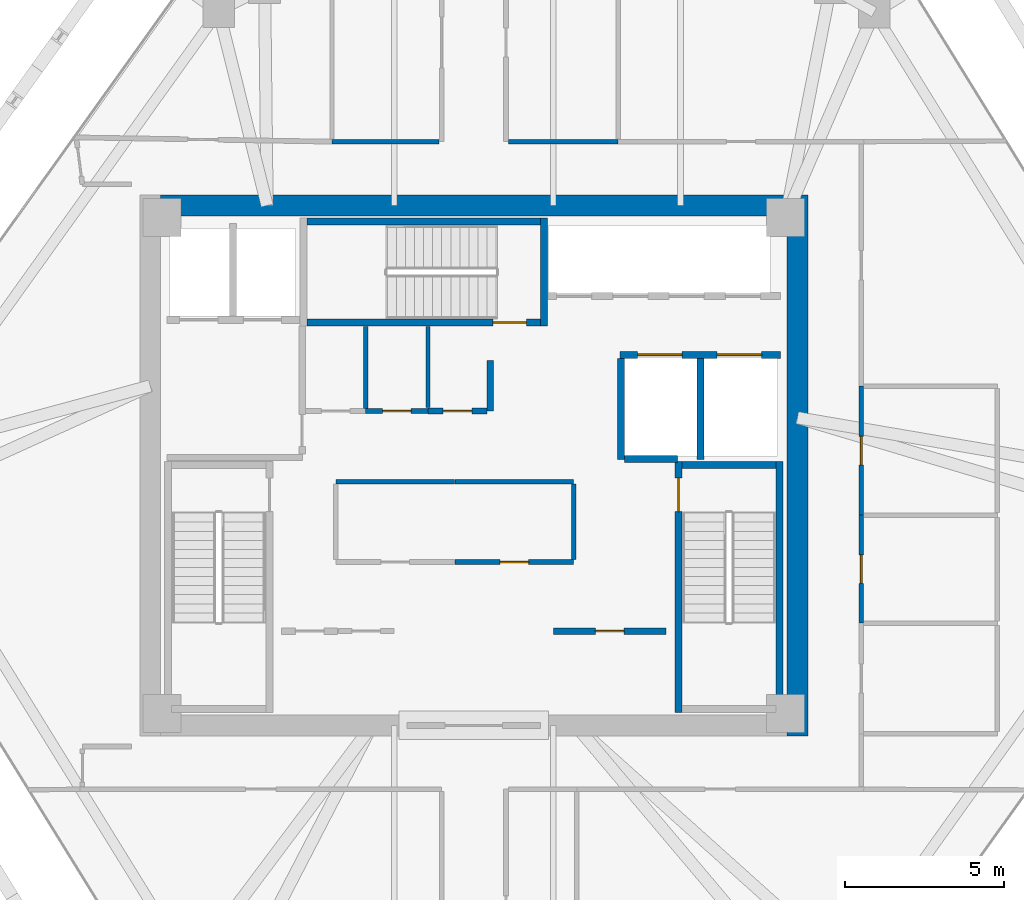
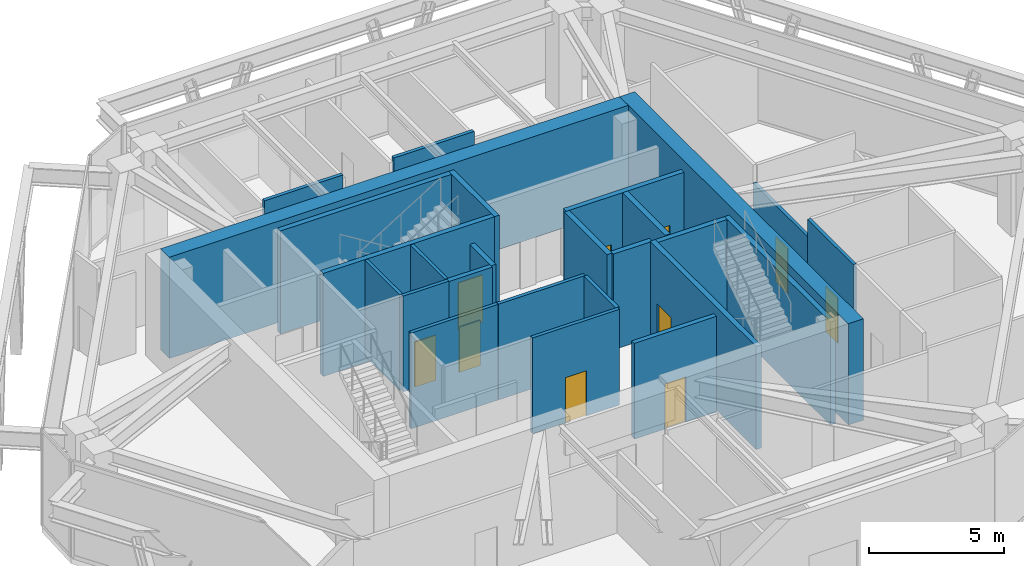
# One storey, part 9 of 12: 26 walls, 10 doors, 10 openings.
"""IFC4 building model written with IfcOpenShell, lengths in metres."""

from ifc_helpers import new_model, si_unit, direction, frame, frame_2d, origin, place, context, subcontext, project, spatial, rectangle, extrude, source, transform, mapped, material, layer, layer_set, type_object, type_shapes, element, fill, save


model = new_model("IFC4")

# Units and contexts
model_context = context("Model", 3, precision=1e-05, world=origin(), true_north=direction((0.0, 1.0)))
body_context = subcontext(model_context, "Body", "Model", "MODEL_VIEW")
ifc_project = project(units=[si_unit("LENGTHUNIT", "METRE"), si_unit("AREAUNIT", "SQUARE_METRE"), si_unit("VOLUMEUNIT", "CUBIC_METRE"), si_unit("PLANEANGLEUNIT", "RADIAN"), si_unit("MASSUNIT", "GRAM", prefix="KILO")], contexts=[model_context])

# Site, building, storey
site_placement = place(None, origin())
site = spatial("IfcSite", under=ifc_project, at=site_placement, CompositionType="ELEMENT")
building_placement = place(site_placement, origin())
building = spatial("IfcBuilding", under=site, at=building_placement, Name="Durnholm Broadcast Tower", CompositionType="ELEMENT")
storey_placement = place(building_placement, frame((0.0, 0.0, 162.60009765625)))
storey = spatial("IfcBuildingStorey", under=building, at=storey_placement, Name="L44", CompositionType="ELEMENT", Elevation=162.60009765625)

# Walls
ifc_material_1 = material(Name="Concrete C70/85", Category="concrete")
ifc_layer_1 = layer(ifc_material_1, 0.64990234375)
ifc_layer_set_1 = layer_set([ifc_layer_1], Name="Concrete C70/85")
wall_type_1 = type_object("IfcWallType", Name="WALL-CW-650", PredefinedType="SHEAR", material=ifc_layer_set_1)
wall_1_placement = place(storey_placement, frame((10.175048828125, -8.5, 0.0), z_axis=(0.0, 0.0, 1.0), x_axis=(0.0, 1.0, 0.0)))
element("IfcWall", 1, at=wall_1_placement, inside=storey, type_object=wall_type_1, Name="L44 central core shear wall CW-EAST", PredefinedType="SHEAR", context=body_context, shape_type="SweptSolid", body=[
    extrude(rectangle(XDim=17.0, YDim=0.64990234375, at=frame_2d((8.5, 0.0))), origin(), (0.0, 0.0, 1.0), 4.599853515625),
])
wall_2_placement = place(storey_placement, frame((-9.85009765625, 8.175048828125, 0.0), z_axis=(0.0, 0.0, 1.0), x_axis=(1.0, 0.0, 0.0)))
element("IfcWall", 2, at=wall_2_placement, inside=storey, type_object=wall_type_1, Name="L44 central core shear wall CW-N", PredefinedType="SHEAR", context=body_context, shape_type="SweptSolid", body=[
    extrude(rectangle(XDim=19.7001953125, YDim=0.64990234375, at=frame_2d((9.85009765625, 0.0))), origin(), (0.0, 0.0, 1.0), 4.599853515625),
])

# Wall, opening, door
ifc_material_2 = material(Name="Fire-Rated Gypsum Shaftwall", Category="concrete")
ifc_layer_2 = layer(ifc_material_2, 0.199951171875)
ifc_layer_set_2 = layer_set([ifc_layer_2], Name="Fire-Rated Gypsum Shaftwall")
wall_type_2 = type_object("IfcWallType", Name="WALL-LOB-200", PredefinedType="SOLIDWALL", material=ifc_layer_set_2)
wall_3_placement = place(storey_placement, frame((2.510009765625, -5.2099609375, 0.0), z_axis=(0.0, 0.0, 1.0), x_axis=(1.0, 0.0, 0.0)))
wall_3 = element("IfcWall", 3, at=wall_3_placement, inside=storey, type_object=wall_type_2, Name="L44 Telemetry Control Closet corridor partition", PredefinedType="SOLIDWALL", context=body_context, shape_type="SweptSolid", body=[
    extrude(rectangle(XDim=3.530029296875, YDim=0.199951171875, at=frame_2d((1.76513671875, 0.0))), origin(), (0.0, 0.0, 1.0), 4.344970703125),
])
opening_1_placement = place(wall_3_placement, frame((1.31494140625, 0.0, 0.0)))
opening_1 = element("IfcOpeningElement", 4, at=opening_1_placement, cuts=wall_3, Name="Opening DC-60R", PredefinedType="OPENING", context=body_context, shape_type="SweptSolid", body=[
    extrude(rectangle(XDim=0.89990234375, YDim=2.050048828125, at=frame_2d((0.449951171875, 1.02490234375))), frame((0.0, 0.10986328125, 0.0), z_axis=(0.0, -1.0, 0.0), x_axis=(1.0, 0.0, 0.0)), (0.0, 0.0, 1.0), 0.219970703125),
])
ifc_material_3 = material(Name="Fire-Rated Core Service Door", Category="steel")
ifc_layer_3 = layer(ifc_material_3, 0.050048828125)
ifc_layer_set_3 = layer_set([ifc_layer_3], Name="Fire-Rated Core Service Door")
door_type_1 = type_object("IfcDoorType", Name="DOOR-CORE-FD60-R", OperationType="NOTDEFINED", PredefinedType="DOOR", material=ifc_layer_set_3)
shared_shape_1 = source(origin(), body_context, "Body", "SweptSolid", [
    extrude(rectangle(XDim=0.89990234375, YDim=2.050048828125, at=frame_2d((0.449951171875, 1.02490234375))), frame((0.0, 0.02490234375, 0.0), z_axis=(0.0, -1.0, 0.0), x_axis=(1.0, 0.0, 0.0)), (0.0, 0.0, 1.0), 0.050048828125),
])
type_shapes(door_type_1, [shared_shape_1])
door_1_placement = place(opening_1_placement, origin())
door_1 = element("IfcDoor", 5, at=door_1_placement, inside=storey, type_object=door_type_1, Name="L44 Telemetry Control Closet entrance door", OperationType="SINGLE_SWING_RIGHT", OverallHeight=2.050048828125, OverallWidth=0.89990234375, PredefinedType="DOOR", context=body_context, shape_type="MappedRepresentation", body=[
    mapped(shared_shape_1, transform((0.0, 0.0, 0.0), x_axis=(1.0, 0.0, 0.0), y_axis=(0.0, 1.0, 0.0), z_axis=(0.0, 0.0, 1.0), scale=1.0)),
])
fill(opening_1, door_1)

# Wall
wall_4_placement = place(storey_placement, frame((0.52001953125, 3.300048828125, 0.0), z_axis=(0.0, 0.0, 1.0), x_axis=(0.0, -1.0, 0.0)))
element("IfcWall", 6, at=wall_4_placement, inside=storey, type_object=wall_type_2, Name="L44 Core Telecom Patch Room corridor partition", PredefinedType="SOLIDWALL", context=body_context, shape_type="SweptSolid", body=[
    extrude(rectangle(XDim=1.590087890625, YDim=0.199951171875, at=frame_2d((0.794921875, 0.0))), origin(), (0.0, 0.0, 1.0), 4.344970703125),
])

# Wall, opening, door
wall_5_placement = place(storey_placement, frame((0.416015625, 1.7099609375, 0.0), z_axis=(0.0, 0.0, 1.0), x_axis=(-1.0, 0.0, 0.0)))
wall_5 = element("IfcWall", 7, at=wall_5_placement, inside=storey, type_object=wall_type_2, Name="L44 Core Telecom Patch Room corridor partition", PredefinedType="SOLIDWALL", context=body_context, shape_type="SweptSolid", body=[
    extrude(rectangle(XDim=1.85595703125, YDim=0.199951171875, at=frame_2d((0.927978515625, 0.0))), origin(), (0.0, 0.0, 1.0), 4.344970703125),
])
opening_2_placement = place(wall_5_placement, frame((0.47802734375, 0.0, 0.0)))
opening_2 = element("IfcOpeningElement", 8, at=opening_2_placement, cuts=wall_5, Name="Opening DC-60L", PredefinedType="OPENING", context=body_context, shape_type="SweptSolid", body=[
    extrude(rectangle(XDim=0.89990234375, YDim=2.050048828125, at=frame_2d((0.449951171875, 1.02490234375))), frame((0.0, 0.10986328125, 0.0), z_axis=(0.0, -1.0, 0.0), x_axis=(1.0, 0.0, 0.0)), (0.0, 0.0, 1.0), 0.219970703125),
])
ifc_layer_4 = layer(ifc_material_3, 0.050048828125)
ifc_layer_set_4 = layer_set([ifc_layer_4], Name="Fire-Rated Core Service Door")
door_type_2 = type_object("IfcDoorType", Name="DOOR-CORE-FD60-L", OperationType="NOTDEFINED", PredefinedType="DOOR", material=ifc_layer_set_4)
shared_shape_2 = source(origin(), body_context, "Body", "SweptSolid", [
    extrude(rectangle(XDim=0.89990234375, YDim=2.050048828125, at=frame_2d((0.449951171875, 1.02490234375))), frame((0.0, 0.02490234375, 0.0), z_axis=(0.0, -1.0, 0.0), x_axis=(1.0, 0.0, 0.0)), (0.0, 0.0, 1.0), 0.050048828125),
])
type_shapes(door_type_2, [shared_shape_2])
door_2_placement = place(opening_2_placement, origin())
door_2 = element("IfcDoor", 9, at=door_2_placement, inside=storey, type_object=door_type_2, Name="L44 Core Telecom Patch Room entrance door", OperationType="SINGLE_SWING_LEFT", OverallHeight=2.050048828125, OverallWidth=0.89990234375, PredefinedType="DOOR", context=body_context, shape_type="MappedRepresentation", body=[
    mapped(shared_shape_2, transform((0.0, 0.0, 0.0), x_axis=(1.0, 0.0, 0.0), y_axis=(0.0, 1.0, 0.0), z_axis=(0.0, 0.0, 1.0), scale=1.0)),
])
fill(opening_2, door_2)

# Walls
ifc_material_4 = material(Name="Gypsum Metal Stud Partition", Category="concrete")
ifc_layer_5 = layer(ifc_material_4, 0.135009765625)
ifc_layer_set_5 = layer_set([ifc_layer_5], Name="Gypsum Metal Stud Partition")
wall_type_3 = type_object("IfcWallType", Name="WALL-PART-135", PredefinedType="PARTITIONING", material=ifc_layer_set_5)
wall_6_placement = place(storey_placement, frame((-3.39990234375, 4.375, 0.0), z_axis=(0.0, 0.0, 1.0), x_axis=(0.0, -1.0, 0.0)))
element("IfcWall", 10, at=wall_6_placement, inside=storey, type_object=wall_type_3, Name="L44 room dividing partition 6.7", PredefinedType="PARTITIONING", context=body_context, shape_type="SweptSolid", body=[
    extrude(rectangle(XDim=2.5859375, YDim=0.135009765625, at=frame_2d((1.29296875, 0.0))), origin(), (0.0, 0.0, 1.0), 4.344970703125),
])
wall_7_placement = place(storey_placement, frame((-1.43994140625, 4.375, 0.0), z_axis=(0.0, 0.0, 1.0), x_axis=(0.0, -1.0, 0.0)))
element("IfcWall", 11, at=wall_7_placement, inside=storey, type_object=wall_type_3, Name="L44 room dividing partition 7.8", PredefinedType="PARTITIONING", context=body_context, shape_type="SweptSolid", body=[
    extrude(rectangle(XDim=2.56103515625, YDim=0.135009765625, at=frame_2d((1.280517578125, 0.0))), origin(), (0.0, 0.0, 1.0), 4.344970703125),
])
ifc_material_5 = material(Name="Acoustic Gypsum Stud Partition", Category="concrete")
ifc_layer_6 = layer(ifc_material_5, 0.14990234375)
ifc_layer_set_6 = layer_set([ifc_layer_6], Name="Acoustic Gypsum Stud Partition")
wall_type_4 = type_object("IfcWallType", Name="WALL-PART-150", PredefinedType="PARTITIONING", material=ifc_layer_set_6)
wall_8_placement = place(storey_placement, frame((-4.340087890625, -0.510009765625, 0.0), z_axis=(0.0, 0.0, 1.0), x_axis=(1.0, 0.0, 0.0)))
element("IfcWall", 12, at=wall_8_placement, inside=storey, type_object=wall_type_4, Name="L44 Digital Tape Archive Store corridor partition", PredefinedType="PARTITIONING", context=body_context, shape_type="SweptSolid", body=[
    extrude(rectangle(XDim=3.72998046875, YDim=0.14990234375, at=frame_2d((1.864990234375, 0.0))), origin(), (0.0, 0.0, 1.0), 4.344970703125),
])

# Wall, opening, door
wall_9_placement = place(storey_placement, frame((3.139892578125, -3.0400390625, 0.0), z_axis=(0.0, 0.0, 1.0), x_axis=(-1.0, 0.0, 0.0)))
wall_9 = element("IfcWall", 13, at=wall_9_placement, inside=storey, type_object=wall_type_4, Name="L44 High-Rise Refreshment Pantry corridor partition", PredefinedType="PARTITIONING", context=body_context, shape_type="SweptSolid", body=[
    extrude(rectangle(XDim=3.72998046875, YDim=0.14990234375, at=frame_2d((1.864990234375, 0.0))), origin(), (0.0, 0.0, 1.0), 4.344970703125),
])
opening_3_placement = place(wall_9_placement, frame((1.4150390625, 0.0, 0.0)))
opening_3 = element("IfcOpeningElement", 14, at=opening_3_placement, cuts=wall_9, Name="Opening DC-60R", PredefinedType="OPENING", context=body_context, shape_type="SweptSolid", body=[
    extrude(rectangle(XDim=0.89990234375, YDim=2.050048828125, at=frame_2d((0.449951171875, 1.02490234375))), frame((0.0, 0.0849609375, 0.0), z_axis=(0.0, -1.0, 0.0), x_axis=(1.0, 0.0, 0.0)), (0.0, 0.0, 1.0), 0.169921875),
])
door_3_placement = place(opening_3_placement, origin())
door_3 = element("IfcDoor", 15, at=door_3_placement, inside=storey, type_object=door_type_1, Name="L44 High-Rise Refreshment Pantry entrance door", OperationType="SINGLE_SWING_RIGHT", OverallHeight=2.050048828125, OverallWidth=0.89990234375, PredefinedType="DOOR", context=body_context, shape_type="MappedRepresentation", body=[
    mapped(shared_shape_1, transform((0.0, 0.0, 0.0), x_axis=(1.0, 0.0, 0.0), y_axis=(0.0, 1.0, 0.0), z_axis=(0.0, 0.0, 1.0), scale=1.0)),
])
fill(opening_3, door_3)

# Walls
wall_10_placement = place(storey_placement, frame((-0.590087890625, -0.510009765625, 0.0), z_axis=(0.0, 0.0, 1.0), x_axis=(1.0, 0.0, 0.0)))
element("IfcWall", 16, at=wall_10_placement, inside=storey, type_object=wall_type_4, Name="L44 High-Rise Refreshment Pantry corridor partition", PredefinedType="PARTITIONING", context=body_context, shape_type="SweptSolid", body=[
    extrude(rectangle(XDim=3.72998046875, YDim=0.14990234375, at=frame_2d((1.864990234375, 0.0))), origin(), (0.0, 0.0, 1.0), 4.344970703125),
])
wall_11_placement = place(storey_placement, frame((3.139892578125, -0.589111328125, 0.0), z_axis=(0.0, 0.0, 1.0), x_axis=(0.0, -1.0, 0.0)))
element("IfcWall", 17, at=wall_11_placement, inside=storey, type_object=wall_type_4, Name="L44 High-Rise Refreshment Pantry corridor partition", PredefinedType="PARTITIONING", context=body_context, shape_type="SweptSolid", body=[
    extrude(rectangle(XDim=2.371826171875, YDim=0.14990234375, at=frame_2d((1.18603515625, 0.0))), origin(), (0.0, 0.0, 1.0), 4.344970703125),
])

# Wall, opening, door
wall_12_placement = place(storey_placement, frame((-1.43994140625, 1.7099609375, 0.0), z_axis=(0.0, 0.0, 1.0), x_axis=(-1.0, 0.0, 0.0)))
wall_12 = element("IfcWall", 18, at=wall_12_placement, inside=storey, type_object=wall_type_4, Name="L44 Core Janitor Supply Closet corridor partition", PredefinedType="PARTITIONING", context=body_context, shape_type="SweptSolid", body=[
    extrude(rectangle(XDim=1.9599609375, YDim=0.14990234375, at=frame_2d((0.97998046875, 0.0))), origin(), (0.0, 0.0, 1.0), 4.344970703125),
])
opening_4_placement = place(wall_12_placement, frame((0.530029296875, 0.0, 0.0)))
opening_4 = element("IfcOpeningElement", 19, at=opening_4_placement, cuts=wall_12, Name="Opening DC-60R", PredefinedType="OPENING", context=body_context, shape_type="SweptSolid", body=[
    extrude(rectangle(XDim=0.89990234375, YDim=2.050048828125, at=frame_2d((0.449951171875, 1.02490234375))), frame((0.0, 0.0849609375, 0.0), z_axis=(0.0, -1.0, 0.0), x_axis=(1.0, 0.0, 0.0)), (0.0, 0.0, 1.0), 0.169921875),
])
door_4_placement = place(opening_4_placement, origin())
door_4 = element("IfcDoor", 20, at=door_4_placement, inside=storey, type_object=door_type_1, Name="L44 Core Janitor Supply Closet entrance door", OperationType="SINGLE_SWING_RIGHT", OverallHeight=2.050048828125, OverallWidth=0.89990234375, PredefinedType="DOOR", context=body_context, shape_type="MappedRepresentation", body=[
    mapped(shared_shape_1, transform((0.0, 0.0, 0.0), x_axis=(1.0, 0.0, 0.0), y_axis=(0.0, 1.0, 0.0), z_axis=(0.0, 0.0, 1.0), scale=1.0)),
])
fill(opening_4, door_4)

# Walls
wall_13_placement = place(storey_placement, frame((-1.089111328125, 10.179931640625, 0.0), z_axis=(0.0, 0.0, 1.0), x_axis=(-1.0, 0.0, 0.0)))
element("IfcWall", 21, at=wall_13_placement, inside=storey, type_object=wall_type_4, Name="L44 Fitness Wellness Hall corridor partition", PredefinedType="PARTITIONING", context=body_context, shape_type="SweptSolid", body=[
    extrude(rectangle(XDim=3.370849609375, YDim=0.14990234375, at=frame_2d((1.685546875, 0.0))), origin(), (0.0, 0.0, 1.0), 3.908203125),
])
wall_14_placement = place(storey_placement, frame((4.5400390625, 10.179931640625, 0.0), z_axis=(0.0, 0.0, 1.0), x_axis=(-1.0, 0.0, 0.0)))
element("IfcWall", 22, at=wall_14_placement, inside=storey, type_object=wall_type_4, Name="L44 Pool Locker Store corridor partition", PredefinedType="PARTITIONING", context=body_context, shape_type="SweptSolid", body=[
    extrude(rectangle(XDim=3.450927734375, YDim=0.14990234375, at=frame_2d((1.7255859375, 0.0))), origin(), (0.0, 0.0, 1.0), 3.908203125),
])

# Wall, openings, doors
ifc_material_6 = material(Name="Concrete Blockwork C30/37", Category="masonry")
ifc_layer_7 = layer(ifc_material_6, 0.219970703125)
ifc_layer_set_7 = layer_set([ifc_layer_7], Name="Concrete Blockwork C30/37")
wall_type_5 = type_object("IfcWallType", Name="WALL-SHAFT-220", PredefinedType="SOLIDWALL", material=ifc_layer_set_7)
wall_15_placement = place(storey_placement, frame((4.60009765625, 3.47998046875, 0.0), z_axis=(0.0, 0.0, 1.0), x_axis=(1.0, 0.0, 0.0)))
wall_15 = element("IfcWall", 23, at=wall_15_placement, inside=storey, type_object=wall_type_5, Name="L44 freight service lifts north front wall", PredefinedType="SOLIDWALL", context=body_context, shape_type="SweptSolid", body=[
    extrude(rectangle(XDim=5.0498046875, YDim=0.219970703125, at=frame_2d((2.52490234375, 0.0))), origin(), (0.0, 0.0, 1.0), 4.344970703125),
])
opening_5_placement = place(wall_15_placement, frame((0.550048828125, 0.0, 0.0)))
opening_5 = element("IfcOpeningElement", 24, at=opening_5_placement, cuts=wall_15, Name="Opening LD-SVL-2", PredefinedType="OPENING", context=body_context, shape_type="SweptSolid", body=[
    extrude(rectangle(XDim=1.39990234375, YDim=2.14990234375, at=frame_2d((0.699951171875, 1.074951171875))), frame((0.0, 0.1201171875, 0.0), z_axis=(0.0, -1.0, 0.0), x_axis=(1.0, 0.0, 0.0)), (0.0, 0.0, 1.0), 0.239990234375),
])
opening_6_placement = place(wall_15_placement, frame((3.050048828125, 0.0, 0.0)))
opening_6 = element("IfcOpeningElement", 25, at=opening_6_placement, cuts=wall_15, Name="Opening LD-SVL-1", PredefinedType="OPENING", context=body_context, shape_type="SweptSolid", body=[
    extrude(rectangle(XDim=1.39990234375, YDim=2.14990234375, at=frame_2d((0.699951171875, 1.074951171875))), frame((0.0, 0.1201171875, 0.0), z_axis=(0.0, -1.0, 0.0), x_axis=(1.0, 0.0, 0.0)), (0.0, 0.0, 1.0), 0.239990234375),
])
ifc_material_7 = material(Name="Freight Elevator Bi-Parting Sliding Landing Door", Category="steel")
ifc_layer_8 = layer(ifc_material_7, 0.050048828125)
ifc_layer_set_8 = layer_set([ifc_layer_8], Name="Freight Elevator Bi-Parting Sliding Landing Door")
door_type_3 = type_object("IfcDoorType", Name="DOOR-LIFT-SVL", OperationType="DOUBLE_DOOR_SLIDING", PredefinedType="DOOR", material=ifc_layer_set_8)
shared_shape_3 = source(origin(), body_context, "Body", "SweptSolid", [
    extrude(rectangle(XDim=1.39990234375, YDim=2.14990234375, at=frame_2d((0.699951171875, 1.074951171875))), frame((0.0, 0.02490234375, 0.0), z_axis=(0.0, -1.0, 0.0), x_axis=(1.0, 0.0, 0.0)), (0.0, 0.0, 1.0), 0.050048828125),
])
type_shapes(door_type_3, [shared_shape_3])
door_5_placement = place(opening_5_placement, origin())
door_5 = element("IfcDoor", 26, at=door_5_placement, inside=storey, type_object=door_type_3, Name="L44 freight service elevator SVL-2 sliding landing door", OperationType="DOUBLE_DOOR_SLIDING", OverallHeight=2.14990234375, OverallWidth=1.39990234375, PredefinedType="DOOR", context=body_context, shape_type="MappedRepresentation", body=[
    mapped(shared_shape_3, transform((0.0, 0.0, 0.0), x_axis=(1.0, 0.0, 0.0), y_axis=(0.0, 1.0, 0.0), z_axis=(0.0, 0.0, 1.0), scale=1.0)),
])
fill(opening_5, door_5)
door_6_placement = place(opening_6_placement, origin())
door_6 = element("IfcDoor", 27, at=door_6_placement, inside=storey, type_object=door_type_3, Name="L44 freight service elevator SVL-1 sliding landing door", OperationType="DOUBLE_DOOR_SLIDING", OverallHeight=2.14990234375, OverallWidth=1.39990234375, PredefinedType="DOOR", context=body_context, shape_type="MappedRepresentation", body=[
    mapped(shared_shape_3, transform((0.0, 0.0, 0.0), x_axis=(1.0, 0.0, 0.0), y_axis=(0.0, 1.0, 0.0), z_axis=(0.0, 0.0, 1.0), scale=1.0)),
])
fill(opening_6, door_6)

# Walls
for number, where, z_axis, x_axis, name in (
    (28, (4.6201171875, 0.179931640625, 0.0), (0.0, 0.0, 1.0), (0.0, 1.0, 0.0), "L44 freight service lift SVL-2 west wall"),
    (29, (7.1201171875, 0.179931640625, 0.0), (0.0, 0.0, 1.0), (0.0, 1.0, 0.0), "L44 freight service lifts divider wall"),
):
    element("IfcWall", number, at=place(storey_placement, frame(where, z_axis=z_axis, x_axis=x_axis)), inside=storey, type_object=wall_type_5, Name=name, PredefinedType="SOLIDWALL", context=body_context, shape_type="SweptSolid", body=[
        extrude(rectangle(XDim=3.18603515625, YDim=0.219970703125, at=frame_2d((1.593017578125, 0.0))), origin(), (0.0, 0.0, 1.0), 4.344970703125),
    ])
wall_16_placement = place(storey_placement, frame((4.73388671875, 0.199951171875, 0.0), z_axis=(0.0, 0.0, 1.0), x_axis=(1.0, 0.0, 0.0)))
element("IfcWall", 30, at=wall_16_placement, inside=storey, type_object=wall_type_5, Name="L44 freight service lift SVL-2 south wall", PredefinedType="SOLIDWALL", context=body_context, shape_type="SweptSolid", body=[
    extrude(rectangle(XDim=1.666015625, YDim=0.219970703125, at=frame_2d((0.8330078125, 0.0))), origin(), (0.0, 0.0, 1.0), 4.344970703125),
])
ifc_material_8 = material(Name="Concrete C50/60", Category="concrete")
ifc_layer_9 = layer(ifc_material_8, 0.219970703125)
ifc_layer_set_9 = layer_set([ifc_layer_9], Name="Concrete C50/60")
wall_type_6 = type_object("IfcWallType", Name="WALL-SW-220", PredefinedType="SHEAR", material=ifc_layer_set_9)
wall_17_placement = place(storey_placement, frame((9.610107421875, -7.77001953125, -0.320068359375), z_axis=(0.0, 0.0, 1.0), x_axis=(0.0, 1.0, 0.0)))
element("IfcWall", 31, at=wall_17_placement, inside=storey, type_object=wall_type_6, Name="L44 stair ST-2 structural shaft wall E", PredefinedType="SHEAR", context=body_context, shape_type="SweptSolid", body=[
    extrude(rectangle(XDim=7.89013671875, YDim=0.219970703125, at=frame_2d((3.945068359375, 0.0))), origin(), (0.0, 0.0, 1.0), 4.679931640625),
])

# Wall, opening, door
wall_18_placement = place(storey_placement, frame((6.429931640625, 0.1201171875, -0.320068359375), z_axis=(0.0, 0.0, 1.0), x_axis=(0.0, -1.0, 0.0)))
wall_18 = element("IfcWall", 32, at=wall_18_placement, inside=storey, type_object=wall_type_6, Name="L44 stair ST-2 structural shaft wall W", PredefinedType="SHEAR", context=body_context, shape_type="SweptSolid", body=[
    extrude(rectangle(XDim=7.89013671875, YDim=0.219970703125, at=frame_2d((3.945068359375, 0.0))), origin(), (0.0, 0.0, 1.0), 4.679931640625),
])
opening_7_placement = place(wall_18_placement, frame((0.52001953125, 0.0, 0.0)))
opening_7 = element("IfcOpeningElement", 33, at=opening_7_placement, cuts=wall_18, Name="Opening DS-90R", PredefinedType="OPENING", context=body_context, shape_type="SweptSolid", body=[
    extrude(rectangle(XDim=1.050048828125, YDim=2.14990234375, at=frame_2d((0.52490234375, 1.074951171875))), frame((0.0, 0.1201171875, 0.0), z_axis=(0.0, -1.0, 0.0), x_axis=(1.0, 0.0, 0.0)), (0.0, 0.0, 1.0), 0.239990234375),
])
ifc_material_9 = material(Name="Fire-Rated Steel Door", Category="steel")
ifc_layer_10 = layer(ifc_material_9, 0.050048828125)
ifc_layer_set_10 = layer_set([ifc_layer_10], Name="Fire-Rated Steel Door")
door_type_4 = type_object("IfcDoorType", Name="DOOR-ST-FD90-R", OperationType="NOTDEFINED", PredefinedType="DOOR", material=ifc_layer_set_10)
shared_shape_4 = source(origin(), body_context, "Body", "SweptSolid", [
    extrude(rectangle(XDim=1.050048828125, YDim=2.14990234375, at=frame_2d((0.52490234375, 1.074951171875))), frame((0.0, 0.02490234375, 0.0), z_axis=(0.0, -1.0, 0.0), x_axis=(1.0, 0.0, 0.0)), (0.0, 0.0, 1.0), 0.050048828125),
])
type_shapes(door_type_4, [shared_shape_4])
door_7_placement = place(opening_7_placement, origin())
door_7 = element("IfcDoor", 34, at=door_7_placement, inside=storey, type_object=door_type_4, Name="L44 exit stair ST-2 fire door", OperationType="SINGLE_SWING_RIGHT", OverallHeight=2.14990234375, OverallWidth=1.050048828125, PredefinedType="DOOR", context=body_context, shape_type="MappedRepresentation", body=[
    mapped(shared_shape_4, transform((0.0, 0.0, 0.0), x_axis=(1.0, 0.0, 0.0), y_axis=(0.0, 1.0, 0.0), z_axis=(0.0, 0.0, 1.0), scale=1.0)),
])
fill(opening_7, door_7)

# Walls
wall_19_placement = place(storey_placement, frame((9.5, 0.010009765625, -0.320068359375), z_axis=(0.0, 0.0, 1.0), x_axis=(-1.0, 0.0, 0.0)))
element("IfcWall", 35, at=wall_19_placement, inside=storey, type_object=wall_type_6, Name="L44 stair ST-2 structural shaft wall N", PredefinedType="SHEAR", context=body_context, shape_type="SweptSolid", body=[
    extrude(rectangle(XDim=2.9599609375, YDim=0.219970703125, at=frame_2d((1.47998046875, 0.0))), origin(), (0.0, 0.0, 1.0), 4.679931640625),
])
wall_20_placement = place(storey_placement, frame((2.2099609375, 4.3798828125, -0.320068359375), z_axis=(0.0, 0.0, 1.0), x_axis=(0.0, 1.0, 0.0)))
element("IfcWall", 36, at=wall_20_placement, inside=storey, type_object=wall_type_6, Name="L44 stair ST-3 structural shaft wall E", PredefinedType="SHEAR", context=body_context, shape_type="SweptSolid", body=[
    extrude(rectangle(XDim=3.400146484375, YDim=0.219970703125, at=frame_2d((1.7001953125, 0.0))), origin(), (0.0, 0.0, 1.0), 4.679931640625),
])

# Wall, opening, door
wall_21_placement = place(storey_placement, frame((-5.25, 4.489990234375, -0.320068359375), z_axis=(0.0, 0.0, 1.0), x_axis=(1.0, 0.0, 0.0)))
wall_21 = element("IfcWall", 37, at=wall_21_placement, inside=storey, type_object=wall_type_6, Name="L44 stair ST-3 structural shaft wall S", PredefinedType="SHEAR", context=body_context, shape_type="SweptSolid", body=[
    extrude(rectangle(XDim=7.35009765625, YDim=0.219970703125, at=frame_2d((3.675048828125, 0.0))), origin(), (0.0, 0.0, 1.0), 4.679931640625),
])
opening_8_placement = place(wall_21_placement, frame((5.85009765625, 0.0, 0.0)))
opening_8 = element("IfcOpeningElement", 38, at=opening_8_placement, cuts=wall_21, Name="Opening DS-90L", PredefinedType="OPENING", context=body_context, shape_type="SweptSolid", body=[
    extrude(rectangle(XDim=1.050048828125, YDim=2.14990234375, at=frame_2d((0.52490234375, 1.074951171875))), frame((0.0, 0.1201171875, 0.0), z_axis=(0.0, -1.0, 0.0), x_axis=(1.0, 0.0, 0.0)), (0.0, 0.0, 1.0), 0.239990234375),
])
ifc_layer_11 = layer(ifc_material_9, 0.050048828125)
ifc_layer_set_11 = layer_set([ifc_layer_11], Name="Fire-Rated Steel Door")
door_type_5 = type_object("IfcDoorType", Name="DOOR-ST-FD90-L", OperationType="NOTDEFINED", PredefinedType="DOOR", material=ifc_layer_set_11)
shared_shape_5 = source(origin(), body_context, "Body", "SweptSolid", [
    extrude(rectangle(XDim=1.050048828125, YDim=2.14990234375, at=frame_2d((0.52490234375, 1.074951171875))), frame((0.0, 0.02490234375, 0.0), z_axis=(0.0, -1.0, 0.0), x_axis=(1.0, 0.0, 0.0)), (0.0, 0.0, 1.0), 0.050048828125),
])
type_shapes(door_type_5, [shared_shape_5])
door_8_placement = place(opening_8_placement, origin())
door_8 = element("IfcDoor", 39, at=door_8_placement, inside=storey, type_object=door_type_5, Name="L44 exit stair ST-3 fire door", OperationType="SINGLE_SWING_LEFT", OverallHeight=2.14990234375, OverallWidth=1.050048828125, PredefinedType="DOOR", context=body_context, shape_type="MappedRepresentation", body=[
    mapped(shared_shape_5, transform((0.0, 0.0, 0.0), x_axis=(1.0, 0.0, 0.0), y_axis=(0.0, 1.0, 0.0), z_axis=(0.0, 0.0, 1.0), scale=1.0)),
])
fill(opening_8, door_8)

# Wall
wall_22_placement = place(storey_placement, frame((2.10009765625, 7.669921875, -0.320068359375), z_axis=(0.0, 0.0, 1.0), x_axis=(-1.0, 0.0, 0.0)))
element("IfcWall", 40, at=wall_22_placement, inside=storey, type_object=wall_type_6, Name="L44 stair ST-3 structural shaft wall N", PredefinedType="SHEAR", context=body_context, shape_type="SweptSolid", body=[
    extrude(rectangle(XDim=7.35009765625, YDim=0.219970703125, at=frame_2d((3.675048828125, 0.0))), origin(), (0.0, 0.0, 1.0), 4.679931640625),
])

# Wall, opening, door
ifc_material_10 = material(Name="Moisture-Resistant Tile Partition", Category="concrete")
ifc_layer_12 = layer(ifc_material_10, 0.139892578125)
ifc_layer_set_12 = layer_set([ifc_layer_12], Name="Moisture-Resistant Tile Partition")
wall_type_7 = type_object("IfcWallType", Name="WALL-WC-140", PredefinedType="PARTITIONING", material=ifc_layer_set_12)
wall_23_placement = place(storey_placement, frame((12.179931640625, -4.9599609375, 0.0), z_axis=(0.0, 0.0, 1.0), x_axis=(0.0, 1.0, 0.0)))
wall_23 = element("IfcWall", 41, at=wall_23_placement, inside=storey, type_object=wall_type_7, Name="L44 Women's Restroom corridor partition", PredefinedType="PARTITIONING", context=body_context, shape_type="SweptSolid", body=[
    extrude(rectangle(XDim=3.39990234375, YDim=0.139892578125, at=frame_2d((1.699951171875, 0.0))), origin(), (0.0, 0.0, 1.0), 4.344970703125),
])
opening_9_placement = place(wall_23_placement, frame((1.25, 0.0, 0.0)))
opening_9 = element("IfcOpeningElement", 42, at=opening_9_placement, cuts=wall_23, Name="Opening DW-90L", PredefinedType="OPENING", context=body_context, shape_type="SweptSolid", body=[
    extrude(rectangle(XDim=0.89990234375, YDim=2.050048828125, at=frame_2d((0.449951171875, 1.02490234375))), frame((0.0, 0.080078125, 0.0), z_axis=(0.0, -1.0, 0.0), x_axis=(1.0, 0.0, 0.0)), (0.0, 0.0, 1.0), 0.159912109375),
])
ifc_material_11 = material(Name="Laminate Restroom Door", Category="steel")
ifc_layer_13 = layer(ifc_material_11, 0.050048828125)
ifc_layer_set_13 = layer_set([ifc_layer_13], Name="Laminate Restroom Door")
door_type_6 = type_object("IfcDoorType", Name="DOOR-WC-900L", OperationType="NOTDEFINED", PredefinedType="DOOR", material=ifc_layer_set_13)
shared_shape_6 = source(origin(), body_context, "Body", "SweptSolid", [
    extrude(rectangle(XDim=0.89990234375, YDim=2.050048828125, at=frame_2d((0.449951171875, 1.02490234375))), frame((0.0, 0.02490234375, 0.0), z_axis=(0.0, -1.0, 0.0), x_axis=(1.0, 0.0, 0.0)), (0.0, 0.0, 1.0), 0.050048828125),
])
type_shapes(door_type_6, [shared_shape_6])
door_9_placement = place(opening_9_placement, origin())
door_9 = element("IfcDoor", 43, at=door_9_placement, inside=storey, type_object=door_type_6, Name="L44 Women's Restroom entrance door", OperationType="SINGLE_SWING_LEFT", OverallHeight=2.050048828125, OverallWidth=0.89990234375, PredefinedType="DOOR", context=body_context, shape_type="MappedRepresentation", body=[
    mapped(shared_shape_6, transform((0.0, 0.0, 0.0), x_axis=(1.0, 0.0, 0.0), y_axis=(0.0, 1.0, 0.0), z_axis=(0.0, 0.0, 1.0), scale=1.0)),
])
fill(opening_9, door_9)

wall_24_placement = place(storey_placement, frame((12.179931640625, -1.56005859375, 0.0), z_axis=(0.0, 0.0, 1.0), x_axis=(0.0, 1.0, 0.0)))
wall_24 = element("IfcWall", 44, at=wall_24_placement, inside=storey, type_object=wall_type_7, Name="L44 Accessible Restroom corridor partition", PredefinedType="PARTITIONING", context=body_context, shape_type="SweptSolid", body=[
    extrude(rectangle(XDim=4.050048828125, YDim=0.139892578125, at=frame_2d((2.02490234375, 0.0))), origin(), (0.0, 0.0, 1.0), 3.541748046875),
])
opening_10_placement = place(wall_24_placement, frame((1.574951171875, 0.0, 0.0)))
opening_10 = element("IfcOpeningElement", 45, at=opening_10_placement, cuts=wall_24, Name="Opening DW-90R", PredefinedType="OPENING", context=body_context, shape_type="SweptSolid", body=[
    extrude(rectangle(XDim=0.89990234375, YDim=2.050048828125, at=frame_2d((0.449951171875, 1.02490234375))), frame((0.0, 0.080078125, 0.0), z_axis=(0.0, -1.0, 0.0), x_axis=(1.0, 0.0, 0.0)), (0.0, 0.0, 1.0), 0.159912109375),
])
ifc_layer_14 = layer(ifc_material_11, 0.050048828125)
ifc_layer_set_14 = layer_set([ifc_layer_14], Name="Laminate Restroom Door")
door_type_7 = type_object("IfcDoorType", Name="DOOR-WC-900R", OperationType="NOTDEFINED", PredefinedType="DOOR", material=ifc_layer_set_14)
shared_shape_7 = source(origin(), body_context, "Body", "SweptSolid", [
    extrude(rectangle(XDim=0.89990234375, YDim=2.050048828125, at=frame_2d((0.449951171875, 1.02490234375))), frame((0.0, 0.02490234375, 0.0), z_axis=(0.0, -1.0, 0.0), x_axis=(1.0, 0.0, 0.0)), (0.0, 0.0, 1.0), 0.050048828125),
])
type_shapes(door_type_7, [shared_shape_7])
door_10_placement = place(opening_10_placement, origin())
door_10 = element("IfcDoor", 46, at=door_10_placement, inside=storey, type_object=door_type_7, Name="L44 Accessible Restroom entrance door", OperationType="SINGLE_SWING_RIGHT", OverallHeight=2.050048828125, OverallWidth=0.89990234375, PredefinedType="DOOR", context=body_context, shape_type="MappedRepresentation", body=[
    mapped(shared_shape_7, transform((0.0, 0.0, 0.0), x_axis=(1.0, 0.0, 0.0), y_axis=(0.0, 1.0, 0.0), z_axis=(0.0, 0.0, 1.0), scale=1.0)),
])
fill(opening_10, door_10)

save(model, "model.ifc")
